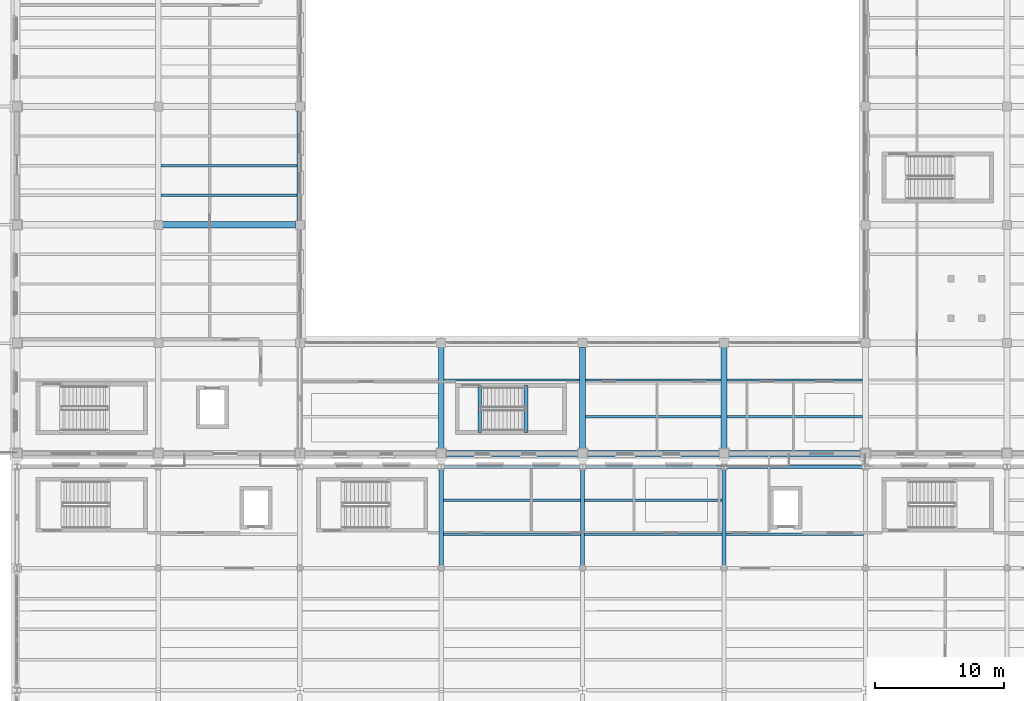
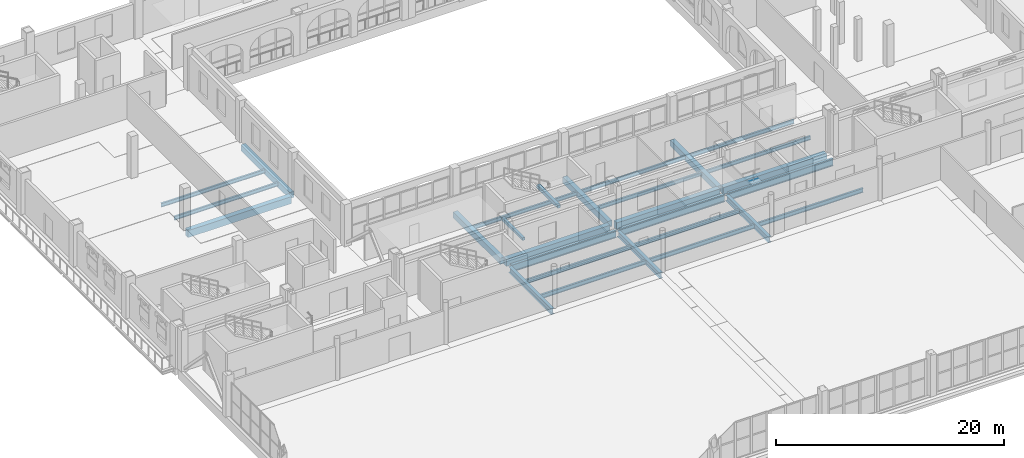
# One storey, part 44 of 156: 28 beams.
"""IFC4 building model written with IfcOpenShell, lengths in metres."""

from ifc_helpers import new_model, si_unit, direction, frame, origin, origin_2d, place, context, subcontext, project, spatial, rectangle, i_section, extrude, material, material_profile, profile_set, type_object, element, save


model = new_model("IFC4")

# Units and contexts
model_context = context("Model", 3, precision=1e-05, world=origin(), true_north=direction((0.0, 1.0)))
body_context = subcontext(model_context, "Body", "Model", "MODEL_VIEW")
ifc_project = project(units=[si_unit("LENGTHUNIT", "METRE"), si_unit("AREAUNIT", "SQUARE_METRE"), si_unit("VOLUMEUNIT", "CUBIC_METRE"), si_unit("PLANEANGLEUNIT", "RADIAN"), si_unit("MASSUNIT", "GRAM", prefix="KILO")], contexts=[model_context])

# Site, building, storey
site_placement = place(None, origin())
site = spatial("IfcSite", under=ifc_project, at=site_placement, CompositionType="ELEMENT")
building_placement = place(site_placement, origin())
building = spatial("IfcBuilding", under=site, at=building_placement, Name="Caurita Quay Ferry Terminal", CompositionType="ELEMENT")
storey_placement = place(building_placement, frame((0.0, 0.0, 5.39990234375)))
storey = spatial("IfcBuildingStorey", under=building, at=storey_placement, Name="L01", CompositionType="ELEMENT", Elevation=5.39990234375)

# Beams
ifc_material_1 = material(Name="Structural steel ASTM A992 Gr. 50", Category="steel")
ifc_material_profile_1 = material_profile(ifc_material_1, i_section(OverallWidth=0.3251953125, OverallDepth=0.612060546875, WebThickness=0.0126953125, FlangeThickness=0.01904296875, FilletRadius=0.01513671875, at=origin_2d()), Name="W24X104")
ifc_profile_set_1 = profile_set([ifc_material_profile_1], Name="Structural steel ASTM A992 Gr. 50")
beam_type_1 = type_object("IfcBeamType", Name="BM-GR-W24A", PredefinedType="BEAM", material=ifc_profile_set_1)
for number, where, z_axis, x_axis, name in (
    (1, (33.0, 62.916015625, -0.60595703125), (0.0, 1.0, 0.0), (-1.0, 0.0, 0.0), "L01 Beam BM-V1-L01-Y-330-629"),
    (2, (44.0, 62.916015625, -0.60595703125), (0.0, 1.0, 0.0), (-1.0, 0.0, 0.0), "L01 Beam BM-V1-L01-Y-440-629"),
    (3, (55.0, 62.916015625, -0.60595703125), (0.0, 1.0, 0.0), (-1.0, 0.0, 0.0), "L01 Beam BM-V1-L01-Y-550-629"),
):
    element("IfcBeam", number, at=place(storey_placement, frame(where, z_axis=z_axis, x_axis=x_axis)), inside=storey, type_object=beam_type_1, Name=name, PredefinedType="BEAM", context=body_context, shape_type="SweptSolid", body=[
        extrude(i_section(OverallWidth=0.3251953125, OverallDepth=0.612060546875, WebThickness=0.0126953125, FlangeThickness=0.01904296875, FilletRadius=0.01513671875, at=origin_2d()), origin(), (0.0, 0.0, 1.0), 7.5166015625),
    ])
ifc_material_profile_2 = material_profile(ifc_material_1, i_section(OverallWidth=0.2666015625, OverallDepth=0.77978515625, WebThickness=0.0166015625, FlangeThickness=0.030029296875, FilletRadius=0.01904296875, at=origin_2d()), Name="W30X148")
ifc_profile_set_2 = profile_set([ifc_material_profile_2], Name="Structural steel ASTM A992 Gr. 50")
beam_type_2 = type_object("IfcBeamType", Name="BM-GR-W30A", PredefinedType="BEAM", material=ifc_profile_set_2)
for number, where, z_axis, x_axis, name in (
    (4, (33.16943359375, 70.60009765625, -0.689697265625), (1.0, 0.0, 0.0), (0.0, 1.0, 0.0), "L01 Beam BM-V1-L01-X-332-706"),
    (5, (44.16943359375, 70.60009765625, -0.689697265625), (1.0, 0.0, 0.0), (0.0, 1.0, 0.0), "L01 Beam BM-V1-L01-X-442-706"),
    (6, (55.16943359375, 70.60009765625, -0.689697265625), (1.0, 0.0, 0.0), (0.0, 1.0, 0.0), "L01 Beam BM-V1-L01-X-552-706"),
):
    element("IfcBeam", number, at=place(storey_placement, frame(where, z_axis=z_axis, x_axis=x_axis)), inside=storey, type_object=beam_type_2, Name=name, PredefinedType="BEAM", context=body_context, shape_type="SweptSolid", body=[
        extrude(i_section(OverallWidth=0.2666015625, OverallDepth=0.77978515625, WebThickness=0.0166015625, FlangeThickness=0.030029296875, FilletRadius=0.01904296875, at=origin_2d()), origin(), (0.0, 0.0, 1.0), 10.6611328125),
    ])
ifc_material_profile_3 = material_profile(ifc_material_1, i_section(OverallWidth=0.1787109375, OverallDepth=0.408935546875, WebThickness=0.0087890625, FlangeThickness=0.014404296875, FilletRadius=0.011474609375, at=origin_2d()), Name="W16X45")
ifc_profile_set_3 = profile_set([ifc_material_profile_3], Name="Structural steel ASTM A992 Gr. 50")
beam_type_3 = type_object("IfcBeamType", Name="BM-JS-W16A", PredefinedType="JOIST", material=ifc_profile_set_3)
for number, where, z_axis, x_axis, name in (
    (7, (11.22509765625, 91.699951171875, -0.42431640625), (1.0, 0.0, 0.0), (0.0, 1.0, 0.0), "L01 Beam JS-V5-L01-016"),
    (8, (11.22509765625, 94.0, -0.42431640625), (1.0, 0.0, 0.0), (0.0, 1.0, 0.0), "L01 Beam JS-V5-L01-017"),
    (9, (33.22509765625, 77.333251953125, -0.42431640625), (1.0, 0.0, 0.0), (0.0, 1.0, 0.0), "L01 Beam JS-V5-L01-028"),
    (10, (44.22509765625, 74.466796875, -0.42431640625), (1.0, 0.0, 0.0), (0.0, 1.0, 0.0), "L01 Beam JS-V5-L01-032"),
    (11, (44.22509765625, 77.333251953125, -0.42431640625), (1.0, 0.0, 0.0), (0.0, 1.0, 0.0), "L01 Beam JS-V5-L01-033"),
    (12, (55.22509765625, 74.466796875, -0.42431640625), (1.0, 0.0, 0.0), (0.0, 1.0, 0.0), "L01 Beam JS-V5-L01-037"),
    (13, (55.22509765625, 77.333251953125, -0.42431640625), (1.0, 0.0, 0.0), (0.0, 1.0, 0.0), "L01 Beam JS-V5-L01-038"),
):
    element("IfcBeam", number, at=place(storey_placement, frame(where, z_axis=z_axis, x_axis=x_axis)), inside=storey, type_object=beam_type_3, Name=name, PredefinedType="JOIST", context=body_context, shape_type="SweptSolid", body=[
        extrude(i_section(OverallWidth=0.1787109375, OverallDepth=0.408935546875, WebThickness=0.0087890625, FlangeThickness=0.014404296875, FilletRadius=0.011474609375, at=origin_2d()), origin(), (0.0, 0.0, 1.0), 10.5498046875),
    ])
ifc_material_profile_4 = material_profile(ifc_material_1, i_section(OverallWidth=0.1904296875, OverallDepth=0.457275390625, WebThickness=0.009033203125, FlangeThickness=0.014404296875, FilletRadius=0.0126953125, at=origin_2d()), Name="W18X50")
ifc_profile_set_4 = profile_set([ifc_material_profile_4], Name="Structural steel ASTM A992 Gr. 50")
beam_type_4 = type_object("IfcBeamType", Name="BM-JS-W18B", PredefinedType="JOIST", material=ifc_profile_set_4)
for number, where, z_axis, x_axis, name in (
    (14, (33.16259765625, 65.333251953125, -0.528564453125), (1.0, 0.0, 0.0), (0.0, 1.0, 0.0), "L01 Beam JS-V1-L01-038"),
    (15, (33.16259765625, 67.966796875, -0.528564453125), (1.0, 0.0, 0.0), (0.0, 1.0, 0.0), "L01 Beam JS-V1-L01-039"),
    (16, (44.16259765625, 65.333251953125, -0.528564453125), (1.0, 0.0, 0.0), (0.0, 1.0, 0.0), "L01 Beam JS-V1-L01-049"),
    (17, (44.16259765625, 67.966796875, -0.528564453125), (1.0, 0.0, 0.0), (0.0, 1.0, 0.0), "L01 Beam JS-V1-L01-050"),
    (18, (55.16259765625, 65.333251953125, -0.528564453125), (1.0, 0.0, 0.0), (0.0, 1.0, 0.0), "L01 Beam JS-V1-L01-060"),
):
    element("IfcBeam", number, at=place(storey_placement, frame(where, z_axis=z_axis, x_axis=x_axis)), inside=storey, type_object=beam_type_4, Name=name, PredefinedType="JOIST", context=body_context, shape_type="SweptSolid", body=[
        extrude(i_section(OverallWidth=0.1904296875, OverallDepth=0.457275390625, WebThickness=0.009033203125, FlangeThickness=0.014404296875, FilletRadius=0.0126953125, at=origin_2d()), origin(), (0.0, 0.0, 1.0), 10.6748046875),
    ])
ifc_material_2 = material(Name="Reinforced concrete C35/45", Category="concrete")
ifc_material_profile_5 = material_profile(ifc_material_2, rectangle(XDim=0.449951171875, YDim=0.64990234375, at=origin_2d()), Name="RC-BM-450X650")
ifc_profile_set_5 = profile_set([ifc_material_profile_5], Name="Reinforced concrete C35/45")
beam_type_5 = type_object("IfcBeamType", Name="BM-RC-4565", PredefinedType="BEAM", material=ifc_profile_set_5)
beam_1_placement = place(storey_placement, frame((22.0, 89.739990234375, -0.544921875), z_axis=(0.0, 1.0, 0.0), x_axis=(-1.0, 0.0, 0.0)))
element("IfcBeam", 19, at=beam_1_placement, inside=storey, type_object=beam_type_5, Name="L01 Beam BM-V5-L01-Y-220-897", PredefinedType="BEAM", context=body_context, shape_type="SweptSolid", body=[
    extrude(rectangle(XDim=0.449951171875, YDim=0.64990234375, at=origin_2d()), origin(), (0.0, 0.0, 1.0), 8.52001953125),
])
beam_2_placement = place(storey_placement, frame((33.0, 71.784423828125, -0.544921875), z_axis=(0.0, 1.0, 0.0), x_axis=(-1.0, 0.0, 0.0)))
element("IfcBeam", 20, at=beam_2_placement, inside=storey, type_object=beam_type_5, Name="L01 Beam BM-V5-L01-Y-330-718", PredefinedType="BEAM", context=body_context, shape_type="SweptSolid", body=[
    extrude(rectangle(XDim=0.449951171875, YDim=0.64990234375, at=origin_2d()), origin(), (0.0, 0.0, 1.0), 8.231201171875),
])
beam_3_placement = place(storey_placement, frame((44.0, 71.93994140625, -0.544921875), z_axis=(0.0, 1.0, 0.0), x_axis=(-1.0, 0.0, 0.0)))
element("IfcBeam", 21, at=beam_3_placement, inside=storey, type_object=beam_type_5, Name="L01 Beam BM-V5-L01-Y-440-719", PredefinedType="BEAM", context=body_context, shape_type="SweptSolid", body=[
    extrude(rectangle(XDim=0.449951171875, YDim=0.64990234375, at=origin_2d()), origin(), (0.0, 0.0, 1.0), 7.920166015625),
])
beam_4_placement = place(storey_placement, frame((55.0, 71.784423828125, -0.544921875), z_axis=(0.0, 1.0, 0.0), x_axis=(-1.0, 0.0, 0.0)))
element("IfcBeam", 22, at=beam_4_placement, inside=storey, type_object=beam_type_5, Name="L01 Beam BM-V5-L01-Y-550-718", PredefinedType="BEAM", context=body_context, shape_type="SweptSolid", body=[
    extrude(rectangle(XDim=0.449951171875, YDim=0.64990234375, at=origin_2d()), origin(), (0.0, 0.0, 1.0), 8.231201171875),
])
ifc_material_profile_6 = material_profile(ifc_material_2, rectangle(XDim=0.5, YDim=0.75, at=origin_2d()), Name="RC-BM-500X750")
ifc_profile_set_6 = profile_set([ifc_material_profile_6], Name="Reinforced concrete C35/45")
beam_type_6 = type_object("IfcBeamType", Name="BM-RC-5075", PredefinedType="BEAM", material=ifc_profile_set_6)
for number, where, z_axis, x_axis, name in (
    (23, (33.1748046875, 71.60009765625, -0.594970703125), (1.0, 0.0, 0.0), (0.0, 1.0, 0.0), "L01 Beam BM-V5-L01-X-332-716"),
    (24, (44.340087890625, 71.60009765625, -0.594970703125), (1.0, 0.0, 0.0), (0.0, 1.0, 0.0), "L01 Beam BM-V5-L01-X-443-716"),
    (25, (55.1748046875, 71.60009765625, -0.594970703125), (1.0, 0.0, 0.0), (0.0, 1.0, 0.0), "L01 Beam BM-V5-L01-X-552-716"),
    (26, (11.1748046875, 89.39990234375, -0.594970703125), (1.0, 0.0, 0.0), (0.0, 1.0, 0.0), "L01 Beam BM-V5-L01-X-112-894"),
):
    element("IfcBeam", number, at=place(storey_placement, frame(where, z_axis=z_axis, x_axis=x_axis)), inside=storey, type_object=beam_type_6, Name=name, PredefinedType="BEAM", context=body_context, shape_type="SweptSolid", body=[
        extrude(rectangle(XDim=0.5, YDim=0.75, at=origin_2d()), origin(), (0.0, 0.0, 1.0), 10.485107421875),
    ])
ifc_material_profile_7 = material_profile(ifc_material_2, rectangle(XDim=0.25, YDim=0.300048828125, at=origin_2d()), Name="RC-LN-250X300")
ifc_profile_set_7 = profile_set([ifc_material_profile_7], Name="Reinforced concrete C35/45")
beam_type_7 = type_object("IfcBeamType", Name="LN-RC-2530", PredefinedType="LINTEL", material=ifc_profile_set_7)
beam_5_placement = place(storey_placement, frame((36.0, 73.25, -0.14990234375), z_axis=(0.0, 1.0, 0.0), x_axis=(-1.0, 0.0, 0.0)))
element("IfcBeam", 27, at=beam_5_placement, inside=storey, type_object=beam_type_7, Name="L01 Stair ST-03 Landing Trimmer Beam", PredefinedType="LINTEL", context=body_context, shape_type="SweptSolid", body=[
    extrude(rectangle(XDim=0.25, YDim=0.300048828125, at=origin_2d()), origin(), (0.0, 0.0, 1.0), 3.659912109375),
])
ifc_material_profile_8 = material_profile(ifc_material_2, rectangle(XDim=0.300048828125, YDim=0.35009765625, at=origin_2d()), Name="RC-LN-300X350")
ifc_profile_set_8 = profile_set([ifc_material_profile_8], Name="Reinforced concrete C35/45")
beam_type_8 = type_object("IfcBeamType", Name="LN-RC-3035", PredefinedType="LINTEL", material=ifc_profile_set_8)
beam_6_placement = place(storey_placement, frame((39.60009765625, 73.25, 2.0751953125), z_axis=(0.0, 1.0, 0.0), x_axis=(-1.0, 0.0, 0.0)))
element("IfcBeam", 28, at=beam_6_placement, inside=storey, type_object=beam_type_8, Name="L01 Stair ST-03 Half-Landing Beam 1", PredefinedType="LINTEL", context=body_context, shape_type="SweptSolid", body=[
    extrude(rectangle(XDim=0.300048828125, YDim=0.35009765625, at=origin_2d()), origin(), (0.0, 0.0, 1.0), 3.659912109375),
])

save(model, "model.ifc")
